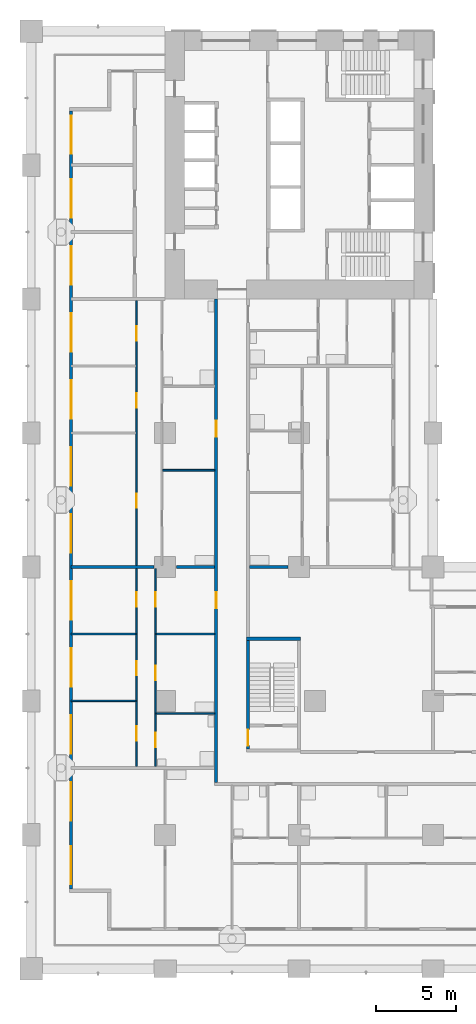
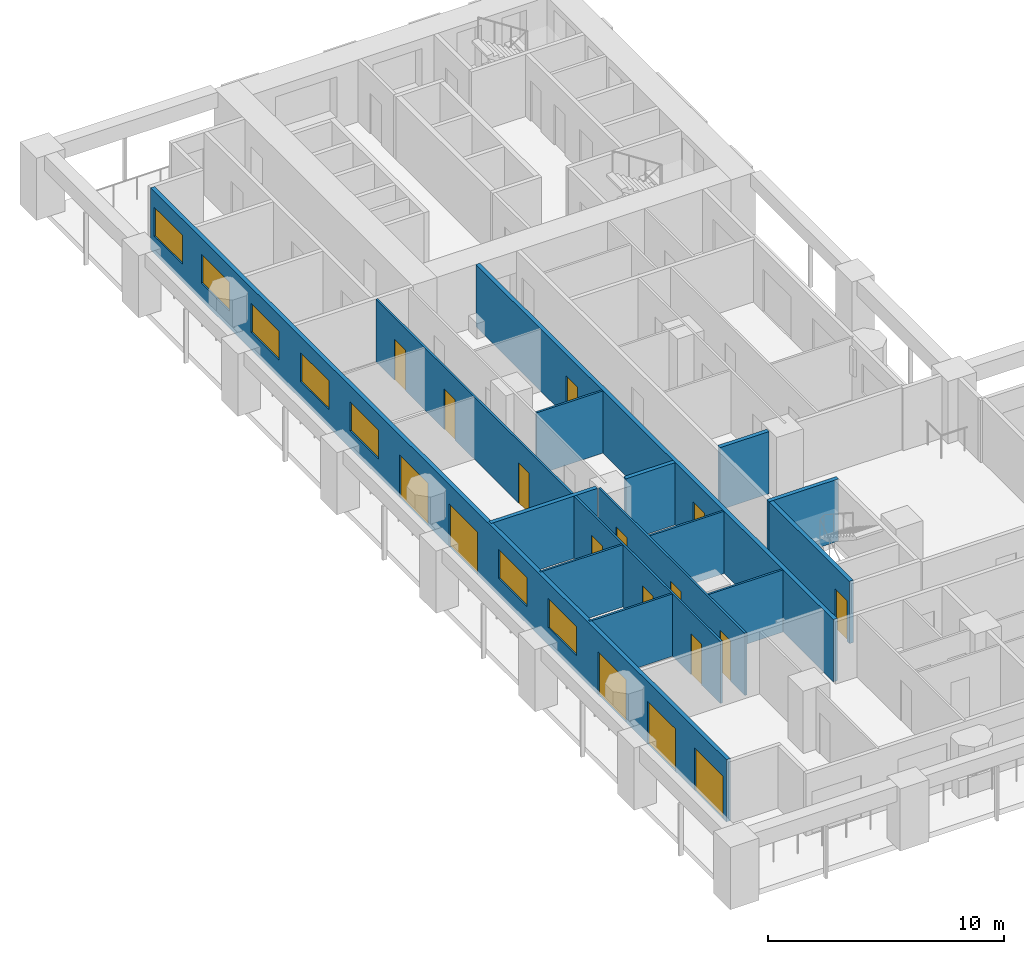
# One storey, part 3 of 20: 17 doors, 14 walls, 7 windows, 24 openings.
"""IFC4 building model written with IfcOpenShell, lengths in metres."""

from ifc_helpers import new_model, si_unit, direction, frame, frame_2d, origin, place, context, subcontext, project, spatial, rectangle, extrude, material, layer, layer_set, type_object, element, fill, save


model = new_model("IFC4")

# Units and contexts
model_context = context("Model", 3, precision=1e-05, world=origin(), true_north=direction((0.0, 1.0)))
body_context = subcontext(model_context, "Body", "Model", "MODEL_VIEW")
ifc_project = project(units=[si_unit("LENGTHUNIT", "METRE"), si_unit("AREAUNIT", "SQUARE_METRE"), si_unit("VOLUMEUNIT", "CUBIC_METRE"), si_unit("PLANEANGLEUNIT", "RADIAN"), si_unit("MASSUNIT", "GRAM", prefix="KILO")], contexts=[model_context])

# Site, building, storey
site_placement = place(None, origin())
site = spatial("IfcSite", under=ifc_project, at=site_placement, CompositionType="ELEMENT")
building_placement = place(site_placement, origin())
building = spatial("IfcBuilding", under=site, at=building_placement, Name="Vermilion Gate Residences", CompositionType="ELEMENT")
storey_placement = place(building_placement, frame((0.0, 0.0, 39.199951171875)))
storey = spatial("IfcBuildingStorey", under=building, at=storey_placement, Name="L08", CompositionType="ELEMENT", Elevation=39.199951171875)

# Wall, openings, doors, windows
ifc_material_1 = material(Name="Insulated steel stud wall with terracotta rainscreen", Category="masonry")
ifc_layer_1 = layer(ifc_material_1, 0.199951171875)
ifc_layer_set_1 = layer_set([ifc_layer_1], Name="EXTERNAL WALL 200 TERRACOTTA RAINSCREEN")
wall_type_1 = type_object("IfcWallType", Name="EXTERNAL WALL 200 TERRACOTTA RAINSCREEN", PredefinedType="SOLIDWALL", material=ifc_layer_set_1)
wall_1_placement = place(storey_placement, frame((2.5, 53.800048828125, 0.0), z_axis=(0.0, 0.0, 1.0), x_axis=(0.0, -1.0, 0.0)))
wall_1 = element("IfcWall", 1, at=wall_1_placement, inside=storey, type_object=wall_type_1, Name="External wall", PredefinedType="SOLIDWALL", context=body_context, shape_type="SweptSolid", body=[
    extrude(rectangle(XDim=48.800048828125, YDim=0.199951171875, at=frame_2d((24.39990234375, 0.0))), origin(), (0.0, 0.0, 1.0), 3.219970703125),
])
opening_1_placement = place(wall_1_placement, frame((46.10009765625, 0.0, 0.0)))
opening_1 = element("IfcOpeningElement", 2, at=opening_1_placement, cuts=wall_1, Name="Opening DE08002", PredefinedType="OPENING", context=body_context, shape_type="SweptSolid", body=[
    extrude(rectangle(XDim=2.39990234375, YDim=2.199951171875, at=frame_2d((1.199951171875, 1.10009765625))), frame((0.0, 0.10986328125, 0.0), z_axis=(0.0, -1.0, 0.0), x_axis=(1.0, 0.0, 0.0)), (0.0, 0.0, 1.0), 0.219970703125),
])
opening_2_placement = place(wall_1_placement, frame((42.10009765625, 0.0, 0.0)))
opening_2 = element("IfcOpeningElement", 3, at=opening_2_placement, cuts=wall_1, Name="Opening DE08003", PredefinedType="OPENING", context=body_context, shape_type="SweptSolid", body=[
    extrude(rectangle(XDim=2.39990234375, YDim=2.199951171875, at=frame_2d((1.199951171875, 1.10009765625))), frame((0.0, 0.10986328125, 0.0), z_axis=(0.0, -1.0, 0.0), x_axis=(1.0, 0.0, 0.0)), (0.0, 0.0, 1.0), 0.219970703125),
])
opening_3_placement = place(wall_1_placement, frame((37.89990234375, 0.0, 0.0)))
opening_3 = element("IfcOpeningElement", 4, at=opening_3_placement, cuts=wall_1, Name="Opening DE08004", PredefinedType="OPENING", context=body_context, shape_type="SweptSolid", body=[
    extrude(rectangle(XDim=2.39990234375, YDim=2.199951171875, at=frame_2d((1.199951171875, 1.10009765625))), frame((0.0, 0.10986328125, 0.0), z_axis=(0.0, -1.0, 0.0), x_axis=(1.0, 0.0, 0.0)), (0.0, 0.0, 1.0), 0.219970703125),
])
opening_4_placement = place(wall_1_placement, frame((33.699951171875, 0.0, 0.89990234375)))
opening_4 = element("IfcOpeningElement", 5, at=opening_4_placement, cuts=wall_1, Name="Opening WE08005", PredefinedType="OPENING", context=body_context, shape_type="SweptSolid", body=[
    extrude(rectangle(XDim=2.39990234375, YDim=1.5, at=frame_2d((1.199951171875, 0.75))), frame((0.0, 0.10986328125, 0.0), z_axis=(0.0, -1.0, 0.0), x_axis=(1.0, 0.0, 0.0)), (0.0, 0.0, 1.0), 0.219970703125),
])
opening_5_placement = place(wall_1_placement, frame((29.5, 0.0, 0.89990234375)))
opening_5 = element("IfcOpeningElement", 6, at=opening_5_placement, cuts=wall_1, Name="Opening WE08006", PredefinedType="OPENING", context=body_context, shape_type="SweptSolid", body=[
    extrude(rectangle(XDim=2.39990234375, YDim=1.5, at=frame_2d((1.199951171875, 0.75))), frame((0.0, 0.10986328125, 0.0), z_axis=(0.0, -1.0, 0.0), x_axis=(1.0, 0.0, 0.0)), (0.0, 0.0, 1.0), 0.219970703125),
])
opening_6_placement = place(wall_1_placement, frame((25.300048828125, 0.0, 0.0)))
opening_6 = element("IfcOpeningElement", 7, at=opening_6_placement, cuts=wall_1, Name="Opening DE08007", PredefinedType="OPENING", context=body_context, shape_type="SweptSolid", body=[
    extrude(rectangle(XDim=2.39990234375, YDim=2.199951171875, at=frame_2d((1.199951171875, 1.10009765625))), frame((0.0, 0.10986328125, 0.0), z_axis=(0.0, -1.0, 0.0), x_axis=(1.0, 0.0, 0.0)), (0.0, 0.0, 1.0), 0.219970703125),
])
opening_7_placement = place(wall_1_placement, frame((21.10009765625, 0.0, 0.0)))
opening_7 = element("IfcOpeningElement", 8, at=opening_7_placement, cuts=wall_1, Name="Opening DE08008", PredefinedType="OPENING", context=body_context, shape_type="SweptSolid", body=[
    extrude(rectangle(XDim=2.39990234375, YDim=2.199951171875, at=frame_2d((1.199951171875, 1.10009765625))), frame((0.0, 0.10986328125, 0.0), z_axis=(0.0, -1.0, 0.0), x_axis=(1.0, 0.0, 0.0)), (0.0, 0.0, 1.0), 0.219970703125),
])
opening_8_placement = place(wall_1_placement, frame((16.89990234375, 0.0, 0.89990234375)))
opening_8 = element("IfcOpeningElement", 9, at=opening_8_placement, cuts=wall_1, Name="Opening WE08009", PredefinedType="OPENING", context=body_context, shape_type="SweptSolid", body=[
    extrude(rectangle(XDim=2.39990234375, YDim=1.5, at=frame_2d((1.199951171875, 0.75))), frame((0.0, 0.10986328125, 0.0), z_axis=(0.0, -1.0, 0.0), x_axis=(1.0, 0.0, 0.0)), (0.0, 0.0, 1.0), 0.219970703125),
])
opening_9_placement = place(wall_1_placement, frame((12.699951171875, 0.0, 0.89990234375)))
opening_9 = element("IfcOpeningElement", 10, at=opening_9_placement, cuts=wall_1, Name="Opening WE08010", PredefinedType="OPENING", context=body_context, shape_type="SweptSolid", body=[
    extrude(rectangle(XDim=2.39990234375, YDim=1.5, at=frame_2d((1.199951171875, 0.75))), frame((0.0, 0.10986328125, 0.0), z_axis=(0.0, -1.0, 0.0), x_axis=(1.0, 0.0, 0.0)), (0.0, 0.0, 1.0), 0.219970703125),
])
opening_10_placement = place(wall_1_placement, frame((8.5, 0.0, 0.89990234375)))
opening_10 = element("IfcOpeningElement", 11, at=opening_10_placement, cuts=wall_1, Name="Opening WE08011", PredefinedType="OPENING", context=body_context, shape_type="SweptSolid", body=[
    extrude(rectangle(XDim=2.39990234375, YDim=1.5, at=frame_2d((1.199951171875, 0.75))), frame((0.0, 0.10986328125, 0.0), z_axis=(0.0, -1.0, 0.0), x_axis=(1.0, 0.0, 0.0)), (0.0, 0.0, 1.0), 0.219970703125),
])
opening_11_placement = place(wall_1_placement, frame((4.300048828125, 0.0, 0.89990234375)))
opening_11 = element("IfcOpeningElement", 12, at=opening_11_placement, cuts=wall_1, Name="Opening WE08012", PredefinedType="OPENING", context=body_context, shape_type="SweptSolid", body=[
    extrude(rectangle(XDim=2.39990234375, YDim=1.5, at=frame_2d((1.199951171875, 0.75))), frame((0.0, 0.10986328125, 0.0), z_axis=(0.0, -1.0, 0.0), x_axis=(1.0, 0.0, 0.0)), (0.0, 0.0, 1.0), 0.219970703125),
])
opening_12_placement = place(wall_1_placement, frame((0.300048828125, 0.0, 0.89990234375)))
opening_12 = element("IfcOpeningElement", 13, at=opening_12_placement, cuts=wall_1, Name="Opening WE08013", PredefinedType="OPENING", context=body_context, shape_type="SweptSolid", body=[
    extrude(rectangle(XDim=2.39990234375, YDim=1.5, at=frame_2d((1.199951171875, 0.75))), frame((0.0, 0.10986328125, 0.0), z_axis=(0.0, -1.0, 0.0), x_axis=(1.0, 0.0, 0.0)), (0.0, 0.0, 1.0), 0.219970703125),
])
ifc_material_2 = material(Name="Aluminium and clear glass", Category="aluminium")
door_type_1 = type_object("IfcDoorType", Name="SLIDING GLAZED DOOR 2400 X 2200", OperationType="DOUBLE_DOOR_SLIDING", PredefinedType="DOOR", material=ifc_material_2)
door_1_placement = place(opening_1_placement, origin())
door_1 = element("IfcDoor", 14, at=door_1_placement, inside=storey, type_object=door_type_1, Name="Loggia sliding door", OperationType="DOUBLE_DOOR_SLIDING", OverallHeight=2.199951171875, OverallWidth=2.39990234375, PredefinedType="DOOR", context=body_context, shape_type="SweptSolid", body=[
    extrude(rectangle(XDim=2.39990234375, YDim=2.199951171875, at=frame_2d((1.199951171875, 1.10009765625))), frame((0.0, 0.02490234375, 0.0), z_axis=(0.0, -1.0, 0.0), x_axis=(1.0, 0.0, 0.0)), (0.0, 0.0, 1.0), 0.050048828125),
])
fill(opening_1, door_1)
door_2_placement = place(opening_2_placement, origin())
door_2 = element("IfcDoor", 15, at=door_2_placement, inside=storey, type_object=door_type_1, Name="Loggia sliding door", OperationType="DOUBLE_DOOR_SLIDING", OverallHeight=2.199951171875, OverallWidth=2.39990234375, PredefinedType="DOOR", context=body_context, shape_type="SweptSolid", body=[
    extrude(rectangle(XDim=2.39990234375, YDim=2.199951171875, at=frame_2d((1.199951171875, 1.10009765625))), frame((0.0, 0.02490234375, 0.0), z_axis=(0.0, -1.0, 0.0), x_axis=(1.0, 0.0, 0.0)), (0.0, 0.0, 1.0), 0.050048828125),
])
fill(opening_2, door_2)
door_3_placement = place(opening_3_placement, origin())
door_3 = element("IfcDoor", 16, at=door_3_placement, inside=storey, type_object=door_type_1, Name="Loggia sliding door", OperationType="DOUBLE_DOOR_SLIDING", OverallHeight=2.199951171875, OverallWidth=2.39990234375, PredefinedType="DOOR", context=body_context, shape_type="SweptSolid", body=[
    extrude(rectangle(XDim=2.39990234375, YDim=2.199951171875, at=frame_2d((1.199951171875, 1.10009765625))), frame((0.0, 0.02490234375, 0.0), z_axis=(0.0, -1.0, 0.0), x_axis=(1.0, 0.0, 0.0)), (0.0, 0.0, 1.0), 0.050048828125),
])
fill(opening_3, door_3)
door_4_placement = place(opening_6_placement, origin())
door_4 = element("IfcDoor", 17, at=door_4_placement, inside=storey, type_object=door_type_1, Name="Loggia sliding door", OperationType="DOUBLE_DOOR_SLIDING", OverallHeight=2.199951171875, OverallWidth=2.39990234375, PredefinedType="DOOR", context=body_context, shape_type="SweptSolid", body=[
    extrude(rectangle(XDim=2.39990234375, YDim=2.199951171875, at=frame_2d((1.199951171875, 1.10009765625))), frame((0.0, 0.02490234375, 0.0), z_axis=(0.0, -1.0, 0.0), x_axis=(1.0, 0.0, 0.0)), (0.0, 0.0, 1.0), 0.050048828125),
])
fill(opening_6, door_4)
door_5_placement = place(opening_7_placement, origin())
door_5 = element("IfcDoor", 18, at=door_5_placement, inside=storey, type_object=door_type_1, Name="Loggia sliding door", OperationType="DOUBLE_DOOR_SLIDING", OverallHeight=2.199951171875, OverallWidth=2.39990234375, PredefinedType="DOOR", context=body_context, shape_type="SweptSolid", body=[
    extrude(rectangle(XDim=2.39990234375, YDim=2.199951171875, at=frame_2d((1.199951171875, 1.10009765625))), frame((0.0, 0.02490234375, 0.0), z_axis=(0.0, -1.0, 0.0), x_axis=(1.0, 0.0, 0.0)), (0.0, 0.0, 1.0), 0.050048828125),
])
fill(opening_7, door_5)
ifc_material_3 = material(Name="Aluminium and clear glass", Category="aluminium")
window_type = type_object("IfcWindowType", Name="WINDOW 2400 X 1500", PartitioningType="SINGLE_PANEL", PredefinedType="WINDOW", material=ifc_material_3)
window_1_placement = place(opening_4_placement, origin())
window_1 = element("IfcWindow", 19, at=window_1_placement, inside=storey, type_object=window_type, Name="Window", OverallHeight=1.5, OverallWidth=2.39990234375, PartitioningType="SINGLE_PANEL", PredefinedType="WINDOW", context=body_context, shape_type="SweptSolid", body=[
    extrude(rectangle(XDim=2.39990234375, YDim=1.5, at=frame_2d((1.199951171875, 0.75))), frame((0.0, 0.030029296875, 0.0), z_axis=(0.0, -1.0, 0.0), x_axis=(1.0, 0.0, 0.0)), (0.0, 0.0, 1.0), 0.06005859375),
])
fill(opening_4, window_1)
window_2_placement = place(opening_5_placement, origin())
window_2 = element("IfcWindow", 20, at=window_2_placement, inside=storey, type_object=window_type, Name="Window", OverallHeight=1.5, OverallWidth=2.39990234375, PartitioningType="SINGLE_PANEL", PredefinedType="WINDOW", context=body_context, shape_type="SweptSolid", body=[
    extrude(rectangle(XDim=2.39990234375, YDim=1.5, at=frame_2d((1.199951171875, 0.75))), frame((0.0, 0.030029296875, 0.0), z_axis=(0.0, -1.0, 0.0), x_axis=(1.0, 0.0, 0.0)), (0.0, 0.0, 1.0), 0.06005859375),
])
fill(opening_5, window_2)
window_3_placement = place(opening_8_placement, origin())
window_3 = element("IfcWindow", 21, at=window_3_placement, inside=storey, type_object=window_type, Name="Window", OverallHeight=1.5, OverallWidth=2.39990234375, PartitioningType="SINGLE_PANEL", PredefinedType="WINDOW", context=body_context, shape_type="SweptSolid", body=[
    extrude(rectangle(XDim=2.39990234375, YDim=1.5, at=frame_2d((1.199951171875, 0.75))), frame((0.0, 0.030029296875, 0.0), z_axis=(0.0, -1.0, 0.0), x_axis=(1.0, 0.0, 0.0)), (0.0, 0.0, 1.0), 0.06005859375),
])
fill(opening_8, window_3)
window_4_placement = place(opening_9_placement, origin())
window_4 = element("IfcWindow", 22, at=window_4_placement, inside=storey, type_object=window_type, Name="Window", OverallHeight=1.5, OverallWidth=2.39990234375, PartitioningType="SINGLE_PANEL", PredefinedType="WINDOW", context=body_context, shape_type="SweptSolid", body=[
    extrude(rectangle(XDim=2.39990234375, YDim=1.5, at=frame_2d((1.199951171875, 0.75))), frame((0.0, 0.030029296875, 0.0), z_axis=(0.0, -1.0, 0.0), x_axis=(1.0, 0.0, 0.0)), (0.0, 0.0, 1.0), 0.06005859375),
])
fill(opening_9, window_4)
window_5_placement = place(opening_10_placement, origin())
window_5 = element("IfcWindow", 23, at=window_5_placement, inside=storey, type_object=window_type, Name="Window", OverallHeight=1.5, OverallWidth=2.39990234375, PartitioningType="SINGLE_PANEL", PredefinedType="WINDOW", context=body_context, shape_type="SweptSolid", body=[
    extrude(rectangle(XDim=2.39990234375, YDim=1.5, at=frame_2d((1.199951171875, 0.75))), frame((0.0, 0.030029296875, 0.0), z_axis=(0.0, -1.0, 0.0), x_axis=(1.0, 0.0, 0.0)), (0.0, 0.0, 1.0), 0.06005859375),
])
fill(opening_10, window_5)
window_6_placement = place(opening_11_placement, origin())
window_6 = element("IfcWindow", 24, at=window_6_placement, inside=storey, type_object=window_type, Name="Window", OverallHeight=1.5, OverallWidth=2.39990234375, PartitioningType="SINGLE_PANEL", PredefinedType="WINDOW", context=body_context, shape_type="SweptSolid", body=[
    extrude(rectangle(XDim=2.39990234375, YDim=1.5, at=frame_2d((1.199951171875, 0.75))), frame((0.0, 0.030029296875, 0.0), z_axis=(0.0, -1.0, 0.0), x_axis=(1.0, 0.0, 0.0)), (0.0, 0.0, 1.0), 0.06005859375),
])
fill(opening_11, window_6)
window_7_placement = place(opening_12_placement, origin())
window_7 = element("IfcWindow", 25, at=window_7_placement, inside=storey, type_object=window_type, Name="Window", OverallHeight=1.5, OverallWidth=2.39990234375, PartitioningType="SINGLE_PANEL", PredefinedType="WINDOW", context=body_context, shape_type="SweptSolid", body=[
    extrude(rectangle(XDim=2.39990234375, YDim=1.5, at=frame_2d((1.199951171875, 0.75))), frame((0.0, 0.030029296875, 0.0), z_axis=(0.0, -1.0, 0.0), x_axis=(1.0, 0.0, 0.0)), (0.0, 0.0, 1.0), 0.06005859375),
])
fill(opening_12, window_7)

# Walls
ifc_material_4 = material(Name="Plasterboard on steel studs", Category="steel")
ifc_layer_2 = layer(ifc_material_4, 0.10009765625)
ifc_layer_set_2 = layer_set([ifc_layer_2], Name="PARTITION 100")
wall_type_2 = type_object("IfcWallType", Name="PARTITION 100", PredefinedType="PARTITIONING", material=ifc_layer_set_2)
wall_2_placement = place(storey_placement, frame((7.85009765625, 16.0, 0.0), z_axis=(0.0, 0.0, 1.0), x_axis=(1.0, 0.0, 0.0)))
element("IfcWall", 26, at=wall_2_placement, inside=storey, type_object=wall_type_2, Name="Partition", PredefinedType="PARTITIONING", context=body_context, shape_type="SweptSolid", body=[
    extrude(rectangle(XDim=3.64990234375, YDim=0.10009765625, at=frame_2d((1.824951171875, 0.0))), origin(), (0.0, 0.0, 1.0), 3.219970703125),
])
for number, where, z_axis, x_axis, name in (
    (27, (2.5, 16.800048828125, 0.0), (0.0, 0.0, 1.0), (1.0, 0.0, 0.0), "Partition"),
    (28, (2.5, 21.0, 0.0), (0.0, 0.0, 1.0), (1.0, 0.0, 0.0), "Partition"),
):
    element("IfcWall", number, at=place(storey_placement, frame(where, z_axis=z_axis, x_axis=x_axis)), inside=storey, type_object=wall_type_2, Name=name, PredefinedType="PARTITIONING", context=body_context, shape_type="SweptSolid", body=[
        extrude(rectangle(XDim=4.050048828125, YDim=0.10009765625, at=frame_2d((2.02490234375, 0.0))), origin(), (0.0, 0.0, 1.0), 3.219970703125),
    ])
wall_3_placement = place(storey_placement, frame((7.85009765625, 21.0, 0.0), z_axis=(0.0, 0.0, 1.0), x_axis=(1.0, 0.0, 0.0)))
element("IfcWall", 29, at=wall_3_placement, inside=storey, type_object=wall_type_2, Name="Partition", PredefinedType="PARTITIONING", context=body_context, shape_type="SweptSolid", body=[
    extrude(rectangle(XDim=3.64990234375, YDim=0.10009765625, at=frame_2d((1.824951171875, 0.0))), origin(), (0.0, 0.0, 1.0), 3.219970703125),
])
wall_4_placement = place(storey_placement, frame((8.25, 31.26708984375, 0.0), z_axis=(0.0, 0.0, 1.0), x_axis=(1.0, 0.0, 0.0)))
element("IfcWall", 30, at=wall_4_placement, inside=storey, type_object=wall_type_2, Name="Partition", PredefinedType="PARTITIONING", context=body_context, shape_type="SweptSolid", body=[
    extrude(rectangle(XDim=3.25, YDim=0.10009765625, at=frame_2d((1.625, 0.0))), origin(), (0.0, 0.0, 1.0), 3.219970703125),
])

# Wall, openings, doors
wall_5_placement = place(storey_placement, frame((6.60009765625, 12.699951171875, 0.0), z_axis=(0.0, 0.0, 1.0), x_axis=(0.0, 1.0, 0.0)))
wall_5 = element("IfcWall", 31, at=wall_5_placement, inside=storey, type_object=wall_type_2, Name="Partition", PredefinedType="PARTITIONING", context=body_context, shape_type="SweptSolid", body=[
    extrude(rectangle(XDim=29.199951171875, YDim=0.10009765625, at=frame_2d((14.60009765625, 0.0))), origin(), (0.0, 0.0, 1.0), 3.219970703125),
])
opening_13_placement = place(wall_5_placement, frame((1.60009765625, 0.0, 0.0)))
opening_13 = element("IfcOpeningElement", 32, at=opening_13_placement, cuts=wall_5, Name="Opening DA07039", PredefinedType="OPENING", context=body_context, shape_type="SweptSolid", body=[
    extrude(rectangle(XDim=0.89990234375, YDim=2.10009765625, at=frame_2d((0.449951171875, 1.050048828125))), frame((0.0, 0.06005859375, 0.0), z_axis=(0.0, -1.0, 0.0), x_axis=(1.0, 0.0, 0.0)), (0.0, 0.0, 1.0), 0.1201171875),
])
opening_14_placement = place(wall_5_placement, frame((5.699951171875, 0.0, 0.0)))
opening_14 = element("IfcOpeningElement", 33, at=opening_14_placement, cuts=wall_5, Name="Opening DA07040", PredefinedType="OPENING", context=body_context, shape_type="SweptSolid", body=[
    extrude(rectangle(XDim=0.89990234375, YDim=2.10009765625, at=frame_2d((0.449951171875, 1.050048828125))), frame((0.0, 0.06005859375, 0.0), z_axis=(0.0, -1.0, 0.0), x_axis=(1.0, 0.0, 0.0)), (0.0, 0.0, 1.0), 0.1201171875),
])
opening_15_placement = place(wall_5_placement, frame((10.0, 0.0, 0.0)))
opening_15 = element("IfcOpeningElement", 34, at=opening_15_placement, cuts=wall_5, Name="Opening DA07041", PredefinedType="OPENING", context=body_context, shape_type="SweptSolid", body=[
    extrude(rectangle(XDim=0.89990234375, YDim=2.10009765625, at=frame_2d((0.449951171875, 1.050048828125))), frame((0.0, 0.06005859375, 0.0), z_axis=(0.0, -1.0, 0.0), x_axis=(1.0, 0.0, 0.0)), (0.0, 0.0, 1.0), 0.1201171875),
])
opening_16_placement = place(wall_5_placement, frame((16.199951171875, 0.0, 0.0)))
opening_16 = element("IfcOpeningElement", 35, at=opening_16_placement, cuts=wall_5, Name="Opening DA07042", PredefinedType="OPENING", context=body_context, shape_type="SweptSolid", body=[
    extrude(rectangle(XDim=0.89990234375, YDim=2.10009765625, at=frame_2d((0.449951171875, 1.050048828125))), frame((0.0, 0.06005859375, 0.0), z_axis=(0.0, -1.0, 0.0), x_axis=(1.0, 0.0, 0.0)), (0.0, 0.0, 1.0), 0.1201171875),
])
opening_17_placement = place(wall_5_placement, frame((22.5, 0.0, 0.0)))
opening_17 = element("IfcOpeningElement", 36, at=opening_17_placement, cuts=wall_5, Name="Opening DA07043", PredefinedType="OPENING", context=body_context, shape_type="SweptSolid", body=[
    extrude(rectangle(XDim=0.89990234375, YDim=2.10009765625, at=frame_2d((0.449951171875, 1.050048828125))), frame((0.0, 0.06005859375, 0.0), z_axis=(0.0, -1.0, 0.0), x_axis=(1.0, 0.0, 0.0)), (0.0, 0.0, 1.0), 0.1201171875),
])
opening_18_placement = place(wall_5_placement, frame((26.699951171875, 0.0, 0.0)))
opening_18 = element("IfcOpeningElement", 37, at=opening_18_placement, cuts=wall_5, Name="Opening DA07044", PredefinedType="OPENING", context=body_context, shape_type="SweptSolid", body=[
    extrude(rectangle(XDim=0.89990234375, YDim=2.10009765625, at=frame_2d((0.449951171875, 1.050048828125))), frame((0.0, 0.06005859375, 0.0), z_axis=(0.0, -1.0, 0.0), x_axis=(1.0, 0.0, 0.0)), (0.0, 0.0, 1.0), 0.1201171875),
])
ifc_material_5 = material(Name="Timber", Category="wood")
door_type_2 = type_object("IfcDoorType", Name="INTERIOR DOOR 900 X 2100", OperationType="SINGLE_SWING_LEFT", PredefinedType="DOOR", material=ifc_material_5)
door_6_placement = place(opening_13_placement, origin())
door_6 = element("IfcDoor", 38, at=door_6_placement, inside=storey, type_object=door_type_2, Name="Interior door", OperationType="SINGLE_SWING_RIGHT", OverallHeight=2.10009765625, OverallWidth=0.89990234375, PredefinedType="DOOR", context=body_context, shape_type="SweptSolid", body=[
    extrude(rectangle(XDim=0.89990234375, YDim=2.10009765625, at=frame_2d((0.449951171875, 1.050048828125))), frame((0.0, 0.02490234375, 0.0), z_axis=(0.0, -1.0, 0.0), x_axis=(1.0, 0.0, 0.0)), (0.0, 0.0, 1.0), 0.050048828125),
])
fill(opening_13, door_6)
door_7_placement = place(opening_14_placement, origin())
door_7 = element("IfcDoor", 39, at=door_7_placement, inside=storey, type_object=door_type_2, Name="Interior door", OperationType="SINGLE_SWING_LEFT", OverallHeight=2.10009765625, OverallWidth=0.89990234375, PredefinedType="DOOR", context=body_context, shape_type="SweptSolid", body=[
    extrude(rectangle(XDim=0.89990234375, YDim=2.10009765625, at=frame_2d((0.449951171875, 1.050048828125))), frame((0.0, 0.02490234375, 0.0), z_axis=(0.0, -1.0, 0.0), x_axis=(1.0, 0.0, 0.0)), (0.0, 0.0, 1.0), 0.050048828125),
])
fill(opening_14, door_7)
door_8_placement = place(opening_15_placement, origin())
door_8 = element("IfcDoor", 40, at=door_8_placement, inside=storey, type_object=door_type_2, Name="Interior door", OperationType="SINGLE_SWING_RIGHT", OverallHeight=2.10009765625, OverallWidth=0.89990234375, PredefinedType="DOOR", context=body_context, shape_type="SweptSolid", body=[
    extrude(rectangle(XDim=0.89990234375, YDim=2.10009765625, at=frame_2d((0.449951171875, 1.050048828125))), frame((0.0, 0.02490234375, 0.0), z_axis=(0.0, -1.0, 0.0), x_axis=(1.0, 0.0, 0.0)), (0.0, 0.0, 1.0), 0.050048828125),
])
fill(opening_15, door_8)
door_9_placement = place(opening_16_placement, origin())
door_9 = element("IfcDoor", 41, at=door_9_placement, inside=storey, type_object=door_type_2, Name="Interior door", OperationType="SINGLE_SWING_LEFT", OverallHeight=2.10009765625, OverallWidth=0.89990234375, PredefinedType="DOOR", context=body_context, shape_type="SweptSolid", body=[
    extrude(rectangle(XDim=0.89990234375, YDim=2.10009765625, at=frame_2d((0.449951171875, 1.050048828125))), frame((0.0, 0.02490234375, 0.0), z_axis=(0.0, -1.0, 0.0), x_axis=(1.0, 0.0, 0.0)), (0.0, 0.0, 1.0), 0.050048828125),
])
fill(opening_16, door_9)
door_10_placement = place(opening_17_placement, origin())
door_10 = element("IfcDoor", 42, at=door_10_placement, inside=storey, type_object=door_type_2, Name="Interior door", OperationType="SINGLE_SWING_LEFT", OverallHeight=2.10009765625, OverallWidth=0.89990234375, PredefinedType="DOOR", context=body_context, shape_type="SweptSolid", body=[
    extrude(rectangle(XDim=0.89990234375, YDim=2.10009765625, at=frame_2d((0.449951171875, 1.050048828125))), frame((0.0, 0.02490234375, 0.0), z_axis=(0.0, -1.0, 0.0), x_axis=(1.0, 0.0, 0.0)), (0.0, 0.0, 1.0), 0.050048828125),
])
fill(opening_17, door_10)
door_11_placement = place(opening_18_placement, origin())
door_11 = element("IfcDoor", 43, at=door_11_placement, inside=storey, type_object=door_type_2, Name="Interior door", OperationType="SINGLE_SWING_LEFT", OverallHeight=2.10009765625, OverallWidth=0.89990234375, PredefinedType="DOOR", context=body_context, shape_type="SweptSolid", body=[
    extrude(rectangle(XDim=0.89990234375, YDim=2.10009765625, at=frame_2d((0.449951171875, 1.050048828125))), frame((0.0, 0.02490234375, 0.0), z_axis=(0.0, -1.0, 0.0), x_axis=(1.0, 0.0, 0.0)), (0.0, 0.0, 1.0), 0.050048828125),
])
fill(opening_18, door_11)

wall_6_placement = place(storey_placement, frame((7.800048828125, 12.699951171875, 0.0), z_axis=(0.0, 0.0, 1.0), x_axis=(0.0, 1.0, 0.0)))
wall_6 = element("IfcWall", 44, at=wall_6_placement, inside=storey, type_object=wall_type_2, Name="Partition", PredefinedType="PARTITIONING", context=body_context, shape_type="SweptSolid", body=[
    extrude(rectangle(XDim=12.400146484375, YDim=0.10009765625, at=frame_2d((6.2001953125, 0.0))), origin(), (0.0, 0.0, 1.0), 3.219970703125),
])
opening_19_placement = place(wall_6_placement, frame((10.0, 0.0, 0.0)))
opening_19 = element("IfcOpeningElement", 45, at=opening_19_placement, cuts=wall_6, Name="Opening DA07045", PredefinedType="OPENING", context=body_context, shape_type="SweptSolid", body=[
    extrude(rectangle(XDim=0.89990234375, YDim=2.10009765625, at=frame_2d((0.449951171875, 1.050048828125))), frame((0.0, 0.06005859375, 0.0), z_axis=(0.0, -1.0, 0.0), x_axis=(1.0, 0.0, 0.0)), (0.0, 0.0, 1.0), 0.1201171875),
])
opening_20_placement = place(wall_6_placement, frame((1.199951171875, 0.0, 0.0)))
opening_20 = element("IfcOpeningElement", 46, at=opening_20_placement, cuts=wall_6, Name="Opening DA07046", PredefinedType="OPENING", context=body_context, shape_type="SweptSolid", body=[
    extrude(rectangle(XDim=0.89990234375, YDim=2.10009765625, at=frame_2d((0.449951171875, 1.050048828125))), frame((0.0, 0.06005859375, 0.0), z_axis=(0.0, -1.0, 0.0), x_axis=(1.0, 0.0, 0.0)), (0.0, 0.0, 1.0), 0.1201171875),
])
opening_21_placement = place(wall_6_placement, frame((5.39990234375, 0.0, 0.0)))
opening_21 = element("IfcOpeningElement", 47, at=opening_21_placement, cuts=wall_6, Name="Opening DA07047", PredefinedType="OPENING", context=body_context, shape_type="SweptSolid", body=[
    extrude(rectangle(XDim=0.89990234375, YDim=2.10009765625, at=frame_2d((0.449951171875, 1.050048828125))), frame((0.0, 0.06005859375, 0.0), z_axis=(0.0, -1.0, 0.0), x_axis=(1.0, 0.0, 0.0)), (0.0, 0.0, 1.0), 0.1201171875),
])
door_12_placement = place(opening_19_placement, origin())
door_12 = element("IfcDoor", 48, at=door_12_placement, inside=storey, type_object=door_type_2, Name="Interior door", OperationType="SINGLE_SWING_RIGHT", OverallHeight=2.10009765625, OverallWidth=0.89990234375, PredefinedType="DOOR", context=body_context, shape_type="SweptSolid", body=[
    extrude(rectangle(XDim=0.89990234375, YDim=2.10009765625, at=frame_2d((0.449951171875, 1.050048828125))), frame((0.0, 0.02490234375, 0.0), z_axis=(0.0, -1.0, 0.0), x_axis=(1.0, 0.0, 0.0)), (0.0, 0.0, 1.0), 0.050048828125),
])
fill(opening_19, door_12)
door_13_placement = place(opening_20_placement, frame((0.89990234375, 0.0, 0.0), z_axis=(0.0, 0.0, 1.0), x_axis=(-1.0, 0.0, 0.0)))
door_13 = element("IfcDoor", 49, at=door_13_placement, inside=storey, type_object=door_type_2, Name="Interior door", OperationType="SINGLE_SWING_RIGHT", OverallHeight=2.10009765625, OverallWidth=0.89990234375, PredefinedType="DOOR", context=body_context, shape_type="SweptSolid", body=[
    extrude(rectangle(XDim=0.89990234375, YDim=2.10009765625, at=frame_2d((0.449951171875, 1.050048828125))), frame((0.0, 0.02490234375, 0.0), z_axis=(0.0, -1.0, 0.0), x_axis=(1.0, 0.0, 0.0)), (0.0, 0.0, 1.0), 0.050048828125),
])
fill(opening_20, door_13)
door_14_placement = place(opening_21_placement, frame((0.89990234375, 0.0, 0.0), z_axis=(0.0, 0.0, 1.0), x_axis=(-1.0, 0.0, 0.0)))
door_14 = element("IfcDoor", 50, at=door_14_placement, inside=storey, type_object=door_type_2, Name="Interior door", OperationType="SINGLE_SWING_RIGHT", OverallHeight=2.10009765625, OverallWidth=0.89990234375, PredefinedType="DOOR", context=body_context, shape_type="SweptSolid", body=[
    extrude(rectangle(XDim=0.89990234375, YDim=2.10009765625, at=frame_2d((0.449951171875, 1.050048828125))), frame((0.0, 0.02490234375, 0.0), z_axis=(0.0, -1.0, 0.0), x_axis=(1.0, 0.0, 0.0)), (0.0, 0.0, 1.0), 0.050048828125),
])
fill(opening_21, door_14)

# Walls
ifc_material_6 = material(Name="Fire-rated plasterboard on steel studs", Category="steel")
ifc_layer_3 = layer(ifc_material_6, 0.199951171875)
ifc_layer_set_3 = layer_set([ifc_layer_3], Name="PARTY WALL 200 EI 120")
wall_type_3 = type_object("IfcWallType", Name="PARTY WALL 200 EI 120", PredefinedType="PARTITIONING", material=ifc_layer_set_3)
wall_7_placement = place(storey_placement, frame((2.5, 25.199951171875, 0.0), z_axis=(0.0, 0.0, 1.0), x_axis=(1.0, 0.0, 0.0)))
element("IfcWall", 51, at=wall_7_placement, inside=storey, type_object=wall_type_3, Name="Party and corridor wall", PredefinedType="PARTITIONING", context=body_context, shape_type="SweptSolid", body=[
    extrude(rectangle(XDim=5.199951171875, YDim=0.199951171875, at=frame_2d((2.60009765625, 0.0))), origin(), (0.0, 0.0, 1.0), 3.219970703125),
])
wall_8_placement = place(storey_placement, frame((9.10009765625, 25.199951171875, 0.0), z_axis=(0.0, 0.0, 1.0), x_axis=(1.0, 0.0, 0.0)))
element("IfcWall", 52, at=wall_8_placement, inside=storey, type_object=wall_type_3, Name="Party and corridor wall", PredefinedType="PARTITIONING", context=body_context, shape_type="SweptSolid", body=[
    extrude(rectangle(XDim=2.39990234375, YDim=0.199951171875, at=frame_2d((1.199951171875, 0.0))), origin(), (0.0, 0.0, 1.0), 3.219970703125),
])
wall_9_placement = place(storey_placement, frame((13.699951171875, 25.199951171875, 0.0), z_axis=(0.0, 0.0, 1.0), x_axis=(1.0, 0.0, 0.0)))
element("IfcWall", 53, at=wall_9_placement, inside=storey, type_object=wall_type_3, Name="Party and corridor wall", PredefinedType="PARTITIONING", context=body_context, shape_type="SweptSolid", body=[
    extrude(rectangle(XDim=2.400146484375, YDim=0.199951171875, at=frame_2d((1.2001953125, 0.0))), origin(), (0.0, 0.0, 1.0), 3.219970703125),
])

# Wall, openings, doors
wall_10_placement = place(storey_placement, frame((11.60009765625, 11.699951171875, 0.0), z_axis=(0.0, 0.0, 1.0), x_axis=(0.0, 1.0, 0.0)))
wall_10 = element("IfcWall", 54, at=wall_10_placement, inside=storey, type_object=wall_type_3, Name="Party and corridor wall", PredefinedType="PARTITIONING", context=body_context, shape_type="SweptSolid", body=[
    extrude(rectangle(XDim=30.300048828125, YDim=0.199951171875, at=frame_2d((15.14990234375, 0.0))), origin(), (0.0, 0.0, 1.0), 3.219970703125),
])
opening_22_placement = place(wall_10_placement, frame((10.89990234375, 0.0, 0.0)))
opening_22 = element("IfcOpeningElement", 55, at=opening_22_placement, cuts=wall_10, Name="Opening DA07052", PredefinedType="OPENING", context=body_context, shape_type="SweptSolid", body=[
    extrude(rectangle(XDim=1.0, YDim=2.10009765625, at=frame_2d((0.5, 1.050048828125))), frame((0.0, 0.10986328125, 0.0), z_axis=(0.0, -1.0, 0.0), x_axis=(1.0, 0.0, 0.0)), (0.0, 0.0, 1.0), 0.219970703125),
])
opening_23_placement = place(wall_10_placement, frame((21.6669921875, 0.0, 0.0)))
opening_23 = element("IfcOpeningElement", 56, at=opening_23_placement, cuts=wall_10, Name="Opening DA07053", PredefinedType="OPENING", context=body_context, shape_type="SweptSolid", body=[
    extrude(rectangle(XDim=1.0, YDim=2.10009765625, at=frame_2d((0.5, 1.050048828125))), frame((0.0, 0.10986328125, 0.0), z_axis=(0.0, -1.0, 0.0), x_axis=(1.0, 0.0, 0.0)), (0.0, 0.0, 1.0), 0.219970703125),
])
ifc_material_7 = material(Name="Steel", Category="steel")
door_type_3 = type_object("IfcDoorType", Name="ENTRANCE DOOR 1000 X 2100 FD30", OperationType="SINGLE_SWING_LEFT", PredefinedType="DOOR", material=ifc_material_7)
door_15_placement = place(opening_22_placement, origin())
door_15 = element("IfcDoor", 57, at=door_15_placement, inside=storey, type_object=door_type_3, Name="Entrance door", OperationType="SINGLE_SWING_RIGHT", OverallHeight=2.10009765625, OverallWidth=1.0, PredefinedType="DOOR", context=body_context, shape_type="SweptSolid", body=[
    extrude(rectangle(XDim=1.0, YDim=2.10009765625, at=frame_2d((0.5, 1.050048828125))), frame((0.0, 0.02490234375, 0.0), z_axis=(0.0, -1.0, 0.0), x_axis=(1.0, 0.0, 0.0)), (0.0, 0.0, 1.0), 0.050048828125),
])
fill(opening_22, door_15)
door_16_placement = place(opening_23_placement, origin())
door_16 = element("IfcDoor", 58, at=door_16_placement, inside=storey, type_object=door_type_3, Name="Entrance door", OperationType="SINGLE_SWING_LEFT", OverallHeight=2.10009765625, OverallWidth=1.0, PredefinedType="DOOR", context=body_context, shape_type="SweptSolid", body=[
    extrude(rectangle(XDim=1.0, YDim=2.10009765625, at=frame_2d((0.5, 1.050048828125))), frame((0.0, 0.02490234375, 0.0), z_axis=(0.0, -1.0, 0.0), x_axis=(1.0, 0.0, 0.0)), (0.0, 0.0, 1.0), 0.050048828125),
])
fill(opening_23, door_16)

# Wall, opening, door
ifc_material_8 = material(Name="Concrete C60", Category="concrete")
ifc_layer_4 = layer(ifc_material_8, 0.199951171875)
ifc_layer_set_4 = layer_set([ifc_layer_4], Name="RC CORE INTERNAL WALL 200 C60")
wall_type_4 = type_object("IfcWallType", Name="RC CORE INTERNAL WALL 200 C60", PredefinedType="SHEAR", material=ifc_layer_set_4)
wall_11_placement = place(storey_placement, frame((13.60009765625, 13.800048828125, 0.0), z_axis=(0.0, 0.0, 1.0), x_axis=(0.0, 1.0, 0.0)))
wall_11 = element("IfcWall", 59, at=wall_11_placement, inside=storey, type_object=wall_type_4, Name="Core internal wall C08-W", PredefinedType="SHEAR", context=body_context, shape_type="SweptSolid", body=[
    extrude(rectangle(XDim=6.800048828125, YDim=0.199951171875, at=frame_2d((3.39990234375, 0.0))), origin(), (0.0, 0.0, 1.0), 3.219970703125),
])
opening_24_placement = place(wall_11_placement, frame((0.199951171875, 0.0, 0.0)))
opening_24 = element("IfcOpeningElement", 60, at=opening_24_placement, cuts=wall_11, Name="Opening DK08201", PredefinedType="OPENING", context=body_context, shape_type="SweptSolid", body=[
    extrude(rectangle(XDim=1.0, YDim=2.10009765625, at=frame_2d((0.5, 1.050048828125))), frame((0.0, 0.10986328125, 0.0), z_axis=(0.0, -1.0, 0.0), x_axis=(1.0, 0.0, 0.0)), (0.0, 0.0, 1.0), 0.219970703125),
])
ifc_material_9 = material(Name="Steel", Category="steel")
door_type_4 = type_object("IfcDoorType", Name="FIRE DOOR FD60 1000 X 2100", OperationType="SINGLE_SWING_LEFT", PredefinedType="DOOR", material=ifc_material_9)
door_17_placement = place(opening_24_placement, frame((1.0, 0.0, 0.0), z_axis=(0.0, 0.0, 1.0), x_axis=(-1.0, 0.0, 0.0)))
door_17 = element("IfcDoor", 61, at=door_17_placement, inside=storey, type_object=door_type_4, Name="Stair vestibule door C08", OperationType="SINGLE_SWING_LEFT", OverallHeight=2.10009765625, OverallWidth=1.0, PredefinedType="DOOR", context=body_context, shape_type="SweptSolid", body=[
    extrude(rectangle(XDim=1.0, YDim=2.10009765625, at=frame_2d((0.5, 1.050048828125))), frame((0.0, 0.02490234375, 0.0), z_axis=(0.0, -1.0, 0.0), x_axis=(1.0, 0.0, 0.0)), (0.0, 0.0, 1.0), 0.050048828125),
])
fill(opening_24, door_17)

# Wall
wall_12_placement = place(storey_placement, frame((13.5, 20.699951171875, 0.0), z_axis=(0.0, 0.0, 1.0), x_axis=(1.0, 0.0, 0.0)))
element("IfcWall", 62, at=wall_12_placement, inside=storey, type_object=wall_type_4, Name="Core internal wall C08-N", PredefinedType="SHEAR", context=body_context, shape_type="SweptSolid", body=[
    extrude(rectangle(XDim=3.39990234375, YDim=0.199951171875, at=frame_2d((1.699951171875, 0.0))), origin(), (0.0, 0.0, 1.0), 3.219970703125),
])

save(model, "model.ifc")
